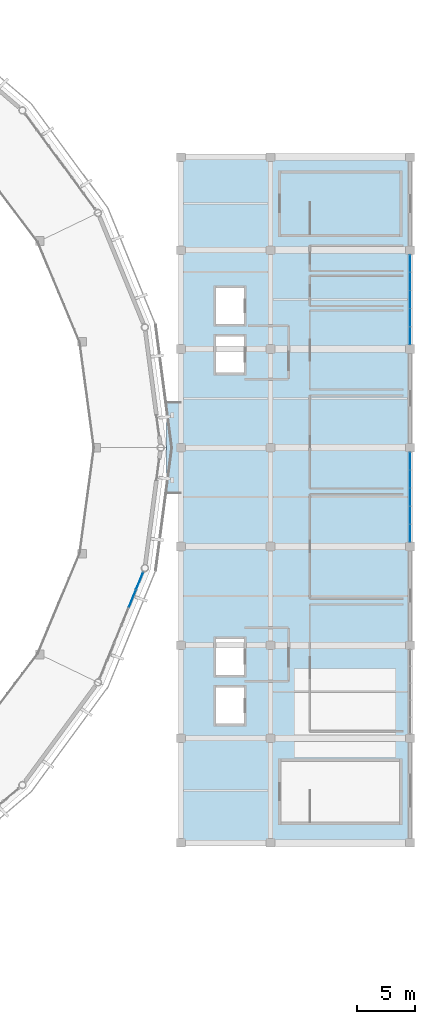
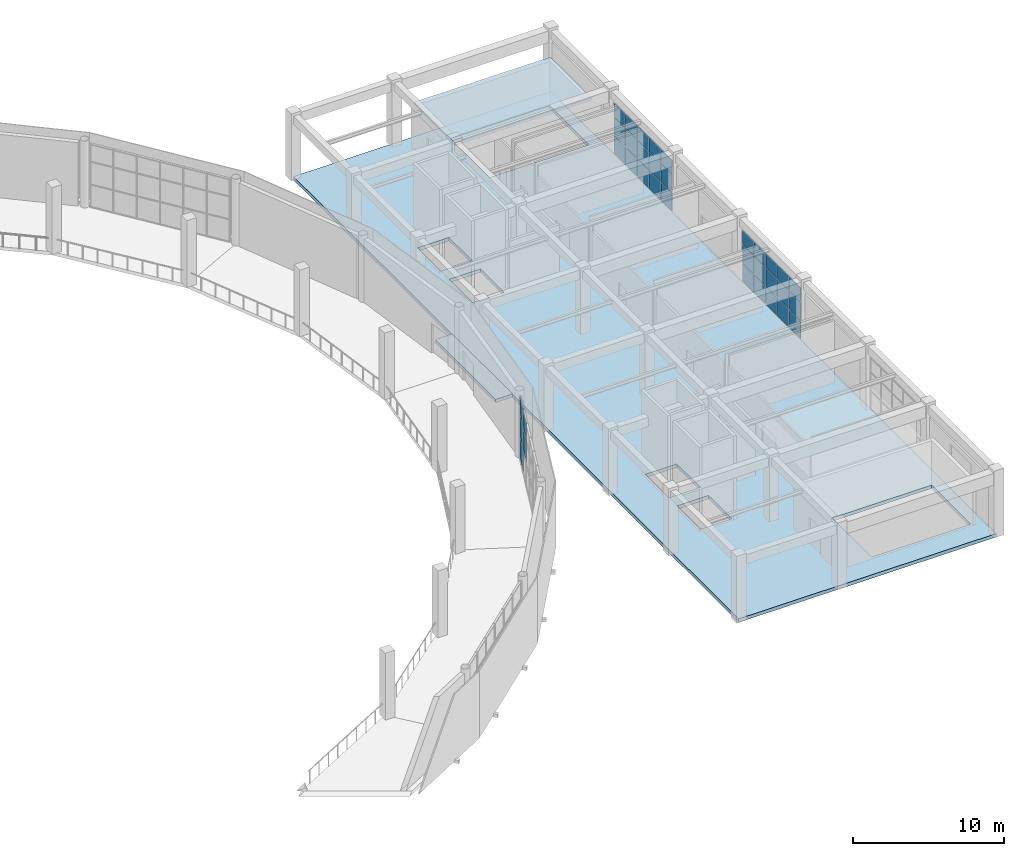
# One storey, part 29 of 40: 35 plates, 3 slabs, 3 elements without a shape of their own.
"""IFC4 building model written with IfcOpenShell, lengths in metres."""

from ifc_helpers import new_model, si_unit, direction, frame, origin, origin_2d, place, context, subcontext, project, spatial, polyline, rectangle, outline, extrude, material, layer, layer_set, type_object, element, aggregate, save


model = new_model("IFC4")

# Units and contexts
model_context = context("Model", 3, precision=1e-05, world=origin(), true_north=direction((0.0, 1.0)))
body_context = subcontext(model_context, "Body", "Model", "MODEL_VIEW")
ifc_project = project(units=[si_unit("LENGTHUNIT", "METRE"), si_unit("AREAUNIT", "SQUARE_METRE"), si_unit("VOLUMEUNIT", "CUBIC_METRE"), si_unit("PLANEANGLEUNIT", "RADIAN"), si_unit("MASSUNIT", "GRAM", prefix="KILO")], contexts=[model_context])

# Site, building, storey
site_placement = place(None, origin())
site = spatial("IfcSite", under=ifc_project, at=site_placement, CompositionType="ELEMENT")
building_placement = place(site_placement, origin())
building = spatial("IfcBuilding", under=site, at=building_placement, Name="Cuetzalor Civic Arena", CompositionType="ELEMENT")
storey_placement = place(building_placement, frame((0.0, 0.0, 26.39990234375)))
storey = spatial("IfcBuildingStorey", under=building, at=storey_placement, Name="L05", CompositionType="ELEMENT", Elevation=26.39990234375)

# Curtain wall, plates
ifc_material_1 = material(Name="Anodised dark bronze aluminium and low-E solar glass", Category="aluminium")
curtain_wall_type_1 = type_object("IfcCurtainWallType", Name="UnitisedCW_9850x5150", PredefinedType="USERDEFINED", material=ifc_material_1)
curtain_wall_1_placement = place(storey_placement, origin())
curtain_wall_1 = element("IfcCurtainWall", 1, at=curtain_wall_1_placement, inside=storey, type_object=curtain_wall_type_1, Name="Drum Triangle Foyer Curtain Wall L05-080", ObjectType="UNITISED CURTAIN WALL", PredefinedType="USERDEFINED")
ifc_material_2 = material(Name="Acoustic laminated solar control glass", Category="glass")
ifc_layer_1 = layer(ifc_material_2, 0.0439453125)
ifc_layer_set_1 = layer_set([ifc_layer_1], Name="Acoustic laminated solar control glass")
plate_type = type_object("IfcPlateType", Name="AcousticTripleGlazedPanel_44", PredefinedType="CURTAIN_PANEL", material=ifc_layer_set_1)
plate_1_placement = place(storey_placement, frame((52.719482421875, -11.4873046875, 0.0703125), z_axis=(0.0, 0.0, 1.0), x_axis=(-0.379391428583, -0.925236263836, 0.0)))
plate_1 = element("IfcPlate", 2, at=plate_1_placement, type_object=plate_type, Name="CW-23 panel 1.1", PredefinedType="CURTAIN_PANEL", context=body_context, shape_type="SweptSolid", body=[
    extrude(rectangle(XDim=1.540771484375, YDim=0.0439453125, at=origin_2d()), origin(), (0.0, 0.0, 1.0), 1.743896484375),
])
plate_2_placement = place(storey_placement, frame((52.719482421875, -11.4873046875, 1.88427734375), z_axis=(0.0, 0.0, 1.0), x_axis=(-0.379391428583, -0.925236263836, 0.0)))
plate_2 = element("IfcPlate", 3, at=plate_2_placement, type_object=plate_type, Name="CW-23 panel 1.2", PredefinedType="CURTAIN_PANEL", context=body_context, shape_type="SweptSolid", body=[
    extrude(rectangle(XDim=1.540771484375, YDim=0.0439453125, at=origin_2d()), origin(), (0.0, 0.0, 1.0), 1.779052734375),
])
plate_3_placement = place(storey_placement, frame((52.719482421875, -11.4873046875, 3.733154296875), z_axis=(0.0, 0.0, 1.0), x_axis=(-0.379391428583, -0.925236263836, 0.0)))
plate_3 = element("IfcPlate", 4, at=plate_3_placement, type_object=plate_type, Name="CW-23 panel 1.3", PredefinedType="CURTAIN_PANEL", context=body_context, shape_type="SweptSolid", body=[
    extrude(rectangle(XDim=1.540771484375, YDim=0.0439453125, at=origin_2d()), origin(), (0.0, 0.0, 1.0), 1.3330078125),
])
plate_4_placement = place(storey_placement, frame((52.1015625, -12.993896484375, 1.88427734375), z_axis=(0.0, 0.0, 1.0), x_axis=(-0.379391428583, -0.925236263836, 0.0)))
plate_4 = element("IfcPlate", 5, at=plate_4_placement, type_object=plate_type, Name="CW-23 panel 2.2", PredefinedType="CURTAIN_PANEL", context=body_context, shape_type="SweptSolid", body=[
    extrude(rectangle(XDim=1.57568359375, YDim=0.0439453125, at=origin_2d()), origin(), (0.0, 0.0, 1.0), 1.779052734375),
])
plate_5_placement = place(storey_placement, frame((52.1015625, -12.993896484375, 3.733154296875), z_axis=(0.0, 0.0, 1.0), x_axis=(-0.379391428583, -0.925236263836, 0.0)))
plate_5 = element("IfcPlate", 6, at=plate_5_placement, type_object=plate_type, Name="CW-23 panel 2.3", PredefinedType="CURTAIN_PANEL", context=body_context, shape_type="SweptSolid", body=[
    extrude(rectangle(XDim=1.57568359375, YDim=0.0439453125, at=origin_2d()), origin(), (0.0, 0.0, 1.0), 1.3330078125),
])
aggregate(curtain_wall_1, [plate_1, plate_2, plate_3, plate_4, plate_5])

ifc_material_3 = material(Name="Anodised dark bronze aluminium and low-E solar glass", Category="aluminium")
curtain_wall_type_2 = type_object("IfcCurtainWallType", Name="UnitisedCW_7800x4200", PredefinedType="USERDEFINED", material=ifc_material_3)
curtain_wall_2_placement = place(storey_placement, origin())
curtain_wall_2 = element("IfcCurtainWall", 7, at=curtain_wall_2_placement, inside=storey, type_object=curtain_wall_type_2, Name="V4E Media Broadcast Curtain Wall L05-155", ObjectType="UNITISED CURTAIN WALL", PredefinedType="USERDEFINED")
plate_6_placement = place(storey_placement, frame((76.0, -1.15185546875, 0.065185546875), z_axis=(0.0, 0.0, 1.0), x_axis=(0.0, -1.0, 0.0)))
plate_6 = element("IfcPlate", 8, at=plate_6_placement, type_object=plate_type, Name="CW-50 panel 1.1", PredefinedType="CURTAIN_PANEL", context=body_context, shape_type="SweptSolid", body=[
    extrude(rectangle(XDim=1.459716796875, YDim=0.0439453125, at=origin_2d()), origin(), (0.0, 0.0, 1.0), 1.42138671875),
])
plate_7_placement = place(storey_placement, frame((76.0, -1.15185546875, 1.551513671875), z_axis=(0.0, 0.0, 1.0), x_axis=(0.0, -1.0, 0.0)))
plate_7 = element("IfcPlate", 9, at=plate_7_placement, type_object=plate_type, Name="CW-50 panel 1.2", PredefinedType="CURTAIN_PANEL", context=body_context, shape_type="SweptSolid", body=[
    extrude(rectangle(XDim=1.459716796875, YDim=0.0439453125, at=origin_2d()), origin(), (0.0, 0.0, 1.0), 1.4541015625),
])
plate_8_placement = place(storey_placement, frame((76.0, -1.15185546875, 3.070556640625), z_axis=(0.0, 0.0, 1.0), x_axis=(0.0, -1.0, 0.0)))
plate_8 = element("IfcPlate", 10, at=plate_8_placement, type_object=plate_type, Name="CW-50 panel 1.3", PredefinedType="CURTAIN_PANEL", context=body_context, shape_type="SweptSolid", body=[
    extrude(rectangle(XDim=1.459716796875, YDim=0.0439453125, at=origin_2d()), origin(), (0.0, 0.0, 1.0), 1.08447265625),
])
plate_9_placement = place(storey_placement, frame((76.0, -2.69287109375, 0.065185546875), z_axis=(0.0, 0.0, 1.0), x_axis=(0.0, -1.0, 0.0)))
plate_9 = element("IfcPlate", 11, at=plate_9_placement, type_object=plate_type, Name="CW-50 panel 2.1", PredefinedType="CURTAIN_PANEL", context=body_context, shape_type="SweptSolid", body=[
    extrude(rectangle(XDim=1.4921875, YDim=0.0439453125, at=origin_2d()), origin(), (0.0, 0.0, 1.0), 1.42138671875),
])
plate_10_placement = place(storey_placement, frame((76.0, -2.69287109375, 1.551513671875), z_axis=(0.0, 0.0, 1.0), x_axis=(0.0, -1.0, 0.0)))
plate_10 = element("IfcPlate", 12, at=plate_10_placement, type_object=plate_type, Name="CW-50 panel 2.2", PredefinedType="CURTAIN_PANEL", context=body_context, shape_type="SweptSolid", body=[
    extrude(rectangle(XDim=1.4921875, YDim=0.0439453125, at=origin_2d()), origin(), (0.0, 0.0, 1.0), 1.4541015625),
])
plate_11_placement = place(storey_placement, frame((76.0, -2.69287109375, 3.070556640625), z_axis=(0.0, 0.0, 1.0), x_axis=(0.0, -1.0, 0.0)))
plate_11 = element("IfcPlate", 13, at=plate_11_placement, type_object=plate_type, Name="CW-50 panel 2.3", PredefinedType="CURTAIN_PANEL", context=body_context, shape_type="SweptSolid", body=[
    extrude(rectangle(XDim=1.4921875, YDim=0.0439453125, at=origin_2d()), origin(), (0.0, 0.0, 1.0), 1.08447265625),
])
plate_12_placement = place(storey_placement, frame((76.0, -4.25, 0.065185546875), z_axis=(0.0, 0.0, 1.0), x_axis=(0.0, -1.0, 0.0)))
plate_12 = element("IfcPlate", 14, at=plate_12_placement, type_object=plate_type, Name="CW-50 panel 3.1", PredefinedType="CURTAIN_PANEL", context=body_context, shape_type="SweptSolid", body=[
    extrude(rectangle(XDim=1.4921875, YDim=0.0439453125, at=origin_2d()), origin(), (0.0, 0.0, 1.0), 1.42138671875),
])
plate_13_placement = place(storey_placement, frame((76.0, -4.25, 1.551513671875), z_axis=(0.0, 0.0, 1.0), x_axis=(0.0, -1.0, 0.0)))
plate_13 = element("IfcPlate", 15, at=plate_13_placement, type_object=plate_type, Name="CW-50 panel 3.2", PredefinedType="CURTAIN_PANEL", context=body_context, shape_type="SweptSolid", body=[
    extrude(rectangle(XDim=1.4921875, YDim=0.0439453125, at=origin_2d()), origin(), (0.0, 0.0, 1.0), 1.4541015625),
])
plate_14_placement = place(storey_placement, frame((76.0, -4.25, 3.070556640625), z_axis=(0.0, 0.0, 1.0), x_axis=(0.0, -1.0, 0.0)))
plate_14 = element("IfcPlate", 16, at=plate_14_placement, type_object=plate_type, Name="CW-50 panel 3.3", PredefinedType="CURTAIN_PANEL", context=body_context, shape_type="SweptSolid", body=[
    extrude(rectangle(XDim=1.4921875, YDim=0.0439453125, at=origin_2d()), origin(), (0.0, 0.0, 1.0), 1.08447265625),
])
plate_15_placement = place(storey_placement, frame((76.0, -5.80712890625, 0.065185546875), z_axis=(0.0, 0.0, 1.0), x_axis=(0.0, -1.0, 0.0)))
plate_15 = element("IfcPlate", 17, at=plate_15_placement, type_object=plate_type, Name="CW-50 panel 4.1", PredefinedType="CURTAIN_PANEL", context=body_context, shape_type="SweptSolid", body=[
    extrude(rectangle(XDim=1.4921875, YDim=0.0439453125, at=origin_2d()), origin(), (0.0, 0.0, 1.0), 1.42138671875),
])
plate_16_placement = place(storey_placement, frame((76.0, -5.80712890625, 1.551513671875), z_axis=(0.0, 0.0, 1.0), x_axis=(0.0, -1.0, 0.0)))
plate_16 = element("IfcPlate", 18, at=plate_16_placement, type_object=plate_type, Name="CW-50 panel 4.2", PredefinedType="CURTAIN_PANEL", context=body_context, shape_type="SweptSolid", body=[
    extrude(rectangle(XDim=1.4921875, YDim=0.0439453125, at=origin_2d()), origin(), (0.0, 0.0, 1.0), 1.4541015625),
])
plate_17_placement = place(storey_placement, frame((76.0, -5.80712890625, 3.070556640625), z_axis=(0.0, 0.0, 1.0), x_axis=(0.0, -1.0, 0.0)))
plate_17 = element("IfcPlate", 19, at=plate_17_placement, type_object=plate_type, Name="CW-50 panel 4.3", PredefinedType="CURTAIN_PANEL", context=body_context, shape_type="SweptSolid", body=[
    extrude(rectangle(XDim=1.4921875, YDim=0.0439453125, at=origin_2d()), origin(), (0.0, 0.0, 1.0), 1.08447265625),
])
plate_18_placement = place(storey_placement, frame((76.0, -7.34814453125, 0.065185546875), z_axis=(0.0, 0.0, 1.0), x_axis=(0.0, -1.0, 0.0)))
plate_18 = element("IfcPlate", 20, at=plate_18_placement, type_object=plate_type, Name="CW-50 panel 5.1", PredefinedType="CURTAIN_PANEL", context=body_context, shape_type="SweptSolid", body=[
    extrude(rectangle(XDim=1.459716796875, YDim=0.0439453125, at=origin_2d()), origin(), (0.0, 0.0, 1.0), 1.42138671875),
])
plate_19_placement = place(storey_placement, frame((76.0, -7.34814453125, 1.551513671875), z_axis=(0.0, 0.0, 1.0), x_axis=(0.0, -1.0, 0.0)))
plate_19 = element("IfcPlate", 21, at=plate_19_placement, type_object=plate_type, Name="CW-50 panel 5.2", PredefinedType="CURTAIN_PANEL", context=body_context, shape_type="SweptSolid", body=[
    extrude(rectangle(XDim=1.459716796875, YDim=0.0439453125, at=origin_2d()), origin(), (0.0, 0.0, 1.0), 1.4541015625),
])
plate_20_placement = place(storey_placement, frame((76.0, -7.34814453125, 3.070556640625), z_axis=(0.0, 0.0, 1.0), x_axis=(0.0, -1.0, 0.0)))
plate_20 = element("IfcPlate", 22, at=plate_20_placement, type_object=plate_type, Name="CW-50 panel 5.3", PredefinedType="CURTAIN_PANEL", context=body_context, shape_type="SweptSolid", body=[
    extrude(rectangle(XDim=1.459716796875, YDim=0.0439453125, at=origin_2d()), origin(), (0.0, 0.0, 1.0), 1.08447265625),
])
aggregate(curtain_wall_2, [plate_6, plate_7, plate_8, plate_9, plate_10, plate_11, plate_12, plate_13, plate_14, plate_15, plate_16, plate_17, plate_18, plate_19, plate_20])

curtain_wall_3_placement = place(storey_placement, origin())
curtain_wall_3 = element("IfcCurtainWall", 23, at=curtain_wall_3_placement, inside=storey, type_object=curtain_wall_type_2, Name="V4E Media Broadcast Curtain Wall L05-156", ObjectType="UNITISED CURTAIN WALL", PredefinedType="USERDEFINED")
plate_21_placement = place(storey_placement, frame((76.0, 15.84814453125, 0.065185546875), z_axis=(0.0, 0.0, 1.0), x_axis=(0.0, -1.0, 0.0)))
plate_21 = element("IfcPlate", 24, at=plate_21_placement, type_object=plate_type, Name="CW-50 panel 1.1", PredefinedType="CURTAIN_PANEL", context=body_context, shape_type="SweptSolid", body=[
    extrude(rectangle(XDim=1.459716796875, YDim=0.0439453125, at=origin_2d()), origin(), (0.0, 0.0, 1.0), 1.42138671875),
])
plate_22_placement = place(storey_placement, frame((76.0, 15.84814453125, 1.551513671875), z_axis=(0.0, 0.0, 1.0), x_axis=(0.0, -1.0, 0.0)))
plate_22 = element("IfcPlate", 25, at=plate_22_placement, type_object=plate_type, Name="CW-50 panel 1.2", PredefinedType="CURTAIN_PANEL", context=body_context, shape_type="SweptSolid", body=[
    extrude(rectangle(XDim=1.459716796875, YDim=0.0439453125, at=origin_2d()), origin(), (0.0, 0.0, 1.0), 1.4541015625),
])
plate_23_placement = place(storey_placement, frame((76.0, 15.84814453125, 3.070556640625), z_axis=(0.0, 0.0, 1.0), x_axis=(0.0, -1.0, 0.0)))
plate_23 = element("IfcPlate", 26, at=plate_23_placement, type_object=plate_type, Name="CW-50 panel 1.3", PredefinedType="CURTAIN_PANEL", context=body_context, shape_type="SweptSolid", body=[
    extrude(rectangle(XDim=1.459716796875, YDim=0.0439453125, at=origin_2d()), origin(), (0.0, 0.0, 1.0), 1.08447265625),
])
plate_24_placement = place(storey_placement, frame((76.0, 14.30712890625, 0.065185546875), z_axis=(0.0, 0.0, 1.0), x_axis=(0.0, -1.0, 0.0)))
plate_24 = element("IfcPlate", 27, at=plate_24_placement, type_object=plate_type, Name="CW-50 panel 2.1", PredefinedType="CURTAIN_PANEL", context=body_context, shape_type="SweptSolid", body=[
    extrude(rectangle(XDim=1.4921875, YDim=0.0439453125, at=origin_2d()), origin(), (0.0, 0.0, 1.0), 1.42138671875),
])
plate_25_placement = place(storey_placement, frame((76.0, 14.30712890625, 1.551513671875), z_axis=(0.0, 0.0, 1.0), x_axis=(0.0, -1.0, 0.0)))
plate_25 = element("IfcPlate", 28, at=plate_25_placement, type_object=plate_type, Name="CW-50 panel 2.2", PredefinedType="CURTAIN_PANEL", context=body_context, shape_type="SweptSolid", body=[
    extrude(rectangle(XDim=1.4921875, YDim=0.0439453125, at=origin_2d()), origin(), (0.0, 0.0, 1.0), 1.4541015625),
])
plate_26_placement = place(storey_placement, frame((76.0, 14.30712890625, 3.070556640625), z_axis=(0.0, 0.0, 1.0), x_axis=(0.0, -1.0, 0.0)))
plate_26 = element("IfcPlate", 29, at=plate_26_placement, type_object=plate_type, Name="CW-50 panel 2.3", PredefinedType="CURTAIN_PANEL", context=body_context, shape_type="SweptSolid", body=[
    extrude(rectangle(XDim=1.4921875, YDim=0.0439453125, at=origin_2d()), origin(), (0.0, 0.0, 1.0), 1.08447265625),
])
plate_27_placement = place(storey_placement, frame((76.0, 12.75, 0.065185546875), z_axis=(0.0, 0.0, 1.0), x_axis=(0.0, -1.0, 0.0)))
plate_27 = element("IfcPlate", 30, at=plate_27_placement, type_object=plate_type, Name="CW-50 panel 3.1", PredefinedType="CURTAIN_PANEL", context=body_context, shape_type="SweptSolid", body=[
    extrude(rectangle(XDim=1.4921875, YDim=0.0439453125, at=origin_2d()), origin(), (0.0, 0.0, 1.0), 1.42138671875),
])
plate_28_placement = place(storey_placement, frame((76.0, 12.75, 1.551513671875), z_axis=(0.0, 0.0, 1.0), x_axis=(0.0, -1.0, 0.0)))
plate_28 = element("IfcPlate", 31, at=plate_28_placement, type_object=plate_type, Name="CW-50 panel 3.2", PredefinedType="CURTAIN_PANEL", context=body_context, shape_type="SweptSolid", body=[
    extrude(rectangle(XDim=1.4921875, YDim=0.0439453125, at=origin_2d()), origin(), (0.0, 0.0, 1.0), 1.4541015625),
])
plate_29_placement = place(storey_placement, frame((76.0, 12.75, 3.070556640625), z_axis=(0.0, 0.0, 1.0), x_axis=(0.0, -1.0, 0.0)))
plate_29 = element("IfcPlate", 32, at=plate_29_placement, type_object=plate_type, Name="CW-50 panel 3.3", PredefinedType="CURTAIN_PANEL", context=body_context, shape_type="SweptSolid", body=[
    extrude(rectangle(XDim=1.4921875, YDim=0.0439453125, at=origin_2d()), origin(), (0.0, 0.0, 1.0), 1.08447265625),
])
plate_30_placement = place(storey_placement, frame((76.0, 11.19287109375, 0.065185546875), z_axis=(0.0, 0.0, 1.0), x_axis=(0.0, -1.0, 0.0)))
plate_30 = element("IfcPlate", 33, at=plate_30_placement, type_object=plate_type, Name="CW-50 panel 4.1", PredefinedType="CURTAIN_PANEL", context=body_context, shape_type="SweptSolid", body=[
    extrude(rectangle(XDim=1.4921875, YDim=0.0439453125, at=origin_2d()), origin(), (0.0, 0.0, 1.0), 1.42138671875),
])
plate_31_placement = place(storey_placement, frame((76.0, 11.19287109375, 1.551513671875), z_axis=(0.0, 0.0, 1.0), x_axis=(0.0, -1.0, 0.0)))
plate_31 = element("IfcPlate", 34, at=plate_31_placement, type_object=plate_type, Name="CW-50 panel 4.2", PredefinedType="CURTAIN_PANEL", context=body_context, shape_type="SweptSolid", body=[
    extrude(rectangle(XDim=1.4921875, YDim=0.0439453125, at=origin_2d()), origin(), (0.0, 0.0, 1.0), 1.4541015625),
])
plate_32_placement = place(storey_placement, frame((76.0, 11.19287109375, 3.070556640625), z_axis=(0.0, 0.0, 1.0), x_axis=(0.0, -1.0, 0.0)))
plate_32 = element("IfcPlate", 35, at=plate_32_placement, type_object=plate_type, Name="CW-50 panel 4.3", PredefinedType="CURTAIN_PANEL", context=body_context, shape_type="SweptSolid", body=[
    extrude(rectangle(XDim=1.4921875, YDim=0.0439453125, at=origin_2d()), origin(), (0.0, 0.0, 1.0), 1.08447265625),
])
plate_33_placement = place(storey_placement, frame((76.0, 9.65185546875, 0.065185546875), z_axis=(0.0, 0.0, 1.0), x_axis=(0.0, -1.0, 0.0)))
plate_33 = element("IfcPlate", 36, at=plate_33_placement, type_object=plate_type, Name="CW-50 panel 5.1", PredefinedType="CURTAIN_PANEL", context=body_context, shape_type="SweptSolid", body=[
    extrude(rectangle(XDim=1.459716796875, YDim=0.0439453125, at=origin_2d()), origin(), (0.0, 0.0, 1.0), 1.42138671875),
])
plate_34_placement = place(storey_placement, frame((76.0, 9.65185546875, 1.551513671875), z_axis=(0.0, 0.0, 1.0), x_axis=(0.0, -1.0, 0.0)))
plate_34 = element("IfcPlate", 37, at=plate_34_placement, type_object=plate_type, Name="CW-50 panel 5.2", PredefinedType="CURTAIN_PANEL", context=body_context, shape_type="SweptSolid", body=[
    extrude(rectangle(XDim=1.459716796875, YDim=0.0439453125, at=origin_2d()), origin(), (0.0, 0.0, 1.0), 1.4541015625),
])
plate_35_placement = place(storey_placement, frame((76.0, 9.65185546875, 3.070556640625), z_axis=(0.0, 0.0, 1.0), x_axis=(0.0, -1.0, 0.0)))
plate_35 = element("IfcPlate", 38, at=plate_35_placement, type_object=plate_type, Name="CW-50 panel 5.3", PredefinedType="CURTAIN_PANEL", context=body_context, shape_type="SweptSolid", body=[
    extrude(rectangle(XDim=1.459716796875, YDim=0.0439453125, at=origin_2d()), origin(), (0.0, 0.0, 1.0), 1.08447265625),
])
aggregate(curtain_wall_3, [plate_21, plate_22, plate_23, plate_24, plate_25, plate_26, plate_27, plate_28, plate_29, plate_30, plate_31, plate_32, plate_33, plate_34, plate_35])

# Slabs
ifc_material_4 = material(Name="Concrete C40/50", Category="concrete")
ifc_layer_2 = layer(ifc_material_4, 0.260009765625)
ifc_layer_set_2 = layer_set([ifc_layer_2], Name="Concrete C40/50")
slab_type_1 = type_object("IfcSlabType", Name="BridgeDeckSlab_260", PredefinedType="FLOOR", material=ifc_layer_set_2)
slab_1_placement = place(storey_placement, frame((0.0, 0.0, -0.260009765625)))
element("IfcSlab", 39, at=slab_1_placement, inside=storey, type_object=slab_type_1, Name="Seismic Joint Circulation Bridge V4E L05", PredefinedType="FLOOR", context=body_context, shape_type="SweptSolid", body=[
    extrude(outline(polyline([(55.030029296875, -4.0), (56.320068359375, -4.0), (56.320068359375, 4.0), (55.030029296875, 4.0), (55.030029296875, -4.0)])), origin(), (0.0, 0.0, 1.0), 0.260009765625),
])
ifc_material_5 = material(Name="Concrete C40/50", Category="concrete")
ifc_layer_3 = layer(ifc_material_5, 0.219970703125)
ifc_layer_set_3 = layer_set([ifc_layer_3], Name="Concrete C40/50")
slab_type_2 = type_object("IfcSlabType", Name="LiftShaftRoofCapSlab_220", PredefinedType="ROOF", material=ifc_layer_set_3)
slab_2_placement = place(storey_placement, frame((0.0, 0.0, 3.60009765625)))
element("IfcSlab", 40, at=slab_2_placement, inside=storey, type_object=slab_type_2, Name="Stair Core Enclosure Cap Slab ST-22", PredefinedType="ROOF", context=body_context, shape_type="SweptSolid", body=[
    extrude(outline(polyline([(64.780029296875, 18.280029296875), (75.219970703125, 18.280029296875), (75.219970703125, 23.719970703125), (64.780029296875, 23.719970703125), (64.780029296875, 18.280029296875)])), origin(), (0.0, 0.0, 1.0), 0.219970703125),
])
ifc_material_6 = material(Name="Concrete C35/45", Category="concrete")
ifc_layer_4 = layer(ifc_material_6, 0.280029296875)
ifc_layer_set_4 = layer_set([ifc_layer_4], Name="Concrete C35/45")
slab_type_3 = type_object("IfcSlabType", Name="SuspendedFloorSlab_280", PredefinedType="FLOOR", material=ifc_layer_set_4)
slab_3_placement = place(storey_placement, frame((0.0, 0.0, -0.27978515625)))
element("IfcSlab", 41, at=slab_3_placement, inside=storey, type_object=slab_type_3, Name="V4E Concourse and Suite Floor Slab L05", PredefinedType="FLOOR", context=body_context, shape_type="SweptSolid", body=[
    extrude(outline(polyline([(56.300048828125, -34.0), (76.0, -34.0), (76.0, 25.0), (56.300048828125, 25.0), (56.300048828125, -34.0)]), holes=[polyline([(67.5, -32.199951171875), (75.10009765625, -32.199951171875), (75.10009765625, -27.0), (67.5, -27.0), (67.5, -32.199951171875)]), polyline([(67.5, 18.39990234375), (75.10009765625, 18.39990234375), (75.10009765625, 23.60009765625), (67.5, 23.60009765625), (67.5, 18.39990234375)]), polyline([(59.300048828125, -19.550048828125), (61.699951171875, -19.550048828125), (61.699951171875, -16.449951171875), (59.300048828125, -16.449951171875), (59.300048828125, -19.550048828125)]), polyline([(59.300048828125, 6.449951171875), (61.699951171875, 6.449951171875), (61.699951171875, 9.550048828125), (59.300048828125, 9.550048828125), (59.300048828125, 6.449951171875)]), polyline([(59.300048828125, -23.75), (61.699951171875, -23.75), (61.699951171875, -20.64990234375), (59.300048828125, -20.64990234375), (59.300048828125, -23.75)]), polyline([(59.300048828125, 10.64990234375), (61.699951171875, 10.64990234375), (61.699951171875, 13.75), (59.300048828125, 13.75), (59.300048828125, 10.64990234375)])]), origin(), (0.0, 0.0, 1.0), 0.27978515625),
])

save(model, "model.ifc")
